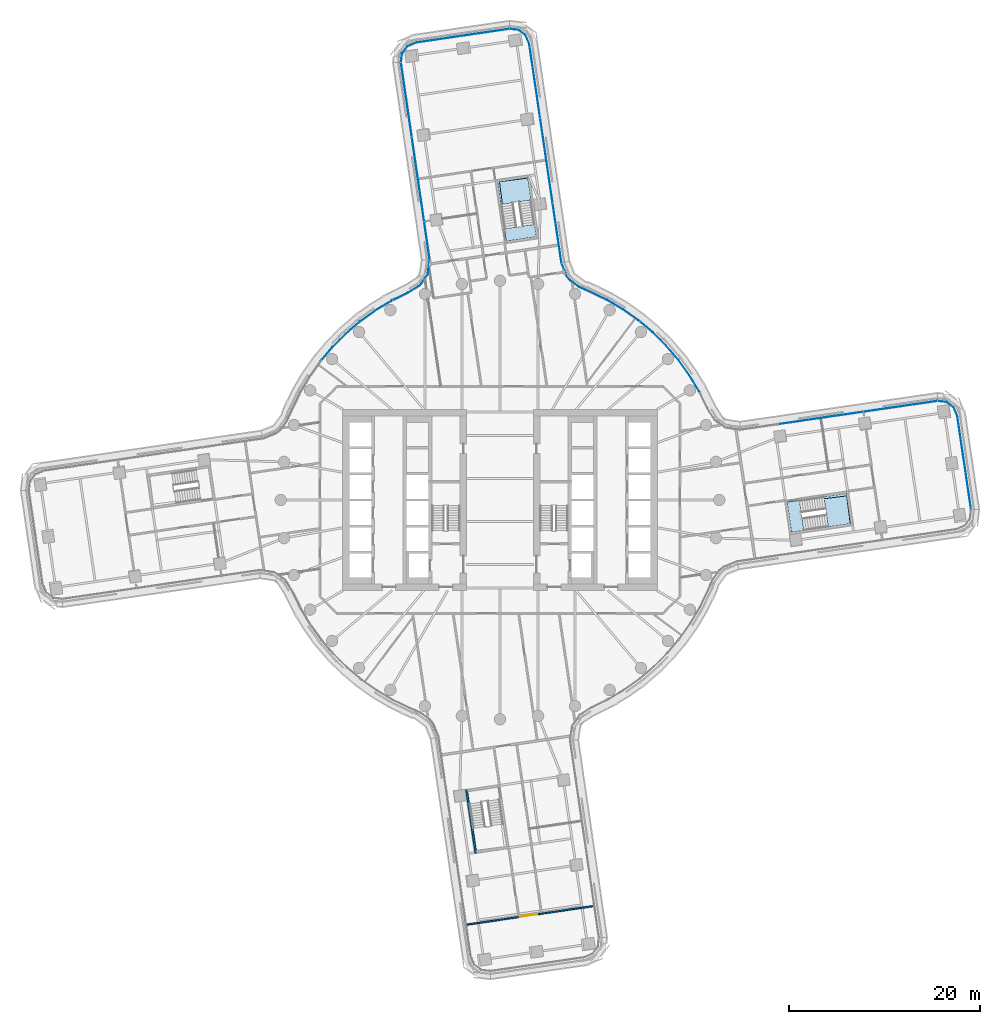
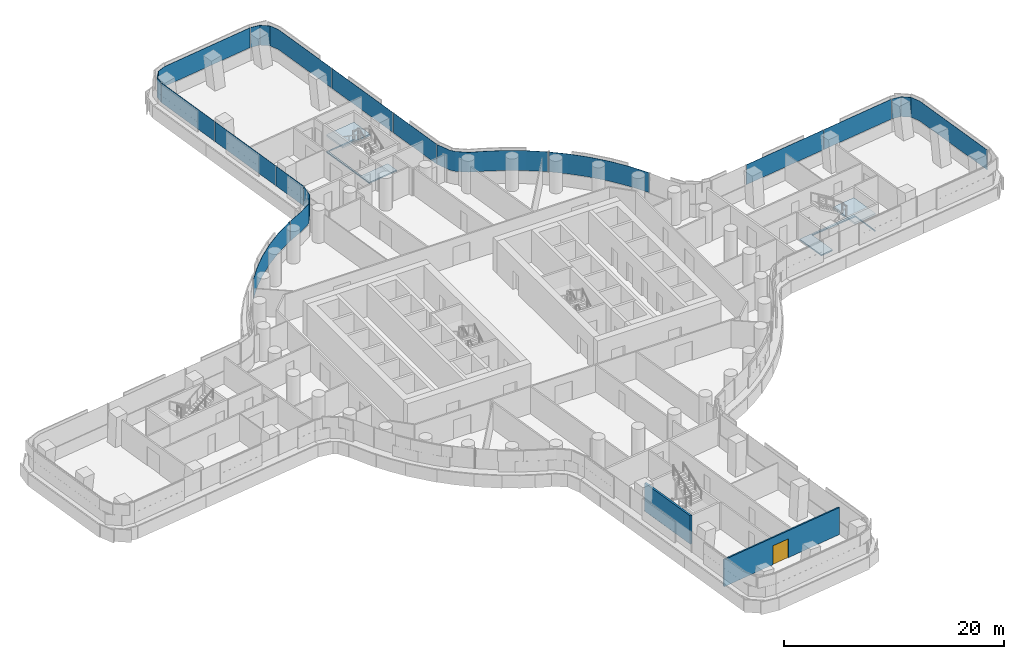
# One storey, part 18 of 31: 14 plates, 4 slabs, 2 walls, 1 door, 1 opening, 9 elements without a shape of their own.
"""IFC4 building model written with IfcOpenShell, lengths in metres."""

import ifcopenshell
import ifcopenshell.guid

model = None  # the IFC model being written
_history = None  # IfcOwnerHistory: only IFC2X3 demands one
_inside = {}  # id of a spatial element -> (the spatial element, [elements in it])
_under = {}  # id of a project, library or spatial element -> (it, [spatial elements below it])
_declared = {}  # id of a project -> (the project, [libraries it declares])
_typed = {}  # id of a type object -> (the type object, [elements of that type])
_made_of = {}  # id of a material, layer set ... -> (it, [elements and type objects made of it])


def new_model(schema):
    """Start an empty IFC model of exactly this schema.

    Asked for "IFC4X3", IfcOpenShell would pick the latest addendum, in which some entities
    have other attributes; the version numbers below select the first issue.
    IFC2X3 requires an IfcOwnerHistory on every rooted entity: one is made here for all.
    """
    global model, _history
    if schema == "IFC4X3":
        model = ifcopenshell.file(schema_version=(4, 3, 0, 0))
    else:
        model = ifcopenshell.file(schema=schema)
    _inside.clear()
    _under.clear()
    _declared.clear()
    _typed.clear()
    _made_of.clear()
    _history = None
    if model.schema == "IFC2X3":
        org = make("IfcOrganization", Name="unknown")
        user = make(
            "IfcPersonAndOrganization",
            ThePerson=make("IfcPerson", FamilyName="unknown"),
            TheOrganization=org,
        )
        app = make(
            "IfcApplication",
            ApplicationDeveloper=org,
            Version="unknown",
            ApplicationFullName="unknown",
            ApplicationIdentifier="unknown",
        )
        _history = make(
            "IfcOwnerHistory",
            OwningUser=user,
            OwningApplication=app,
            ChangeAction="ADDED",
            CreationDate=0,
        )
    return model


def make(cls, **values):
    """One entity of the class cls with the attributes given. An attribute that is None is left unset."""
    return model.create_entity(
        cls, **{name: value for name, value in values.items() if value is not None}
    )


def rooted(cls, **values):
    """An entity with a GlobalId (a new one), such as an element, a storey or a relation."""
    return make(cls, GlobalId=ifcopenshell.guid.new(), OwnerHistory=_history, **values)


def si_unit(unit_type, name, prefix=None):
    """IfcSIUnit, for example si_unit("LENGTHUNIT", "METRE", prefix="MILLI")."""
    return make("IfcSIUnit", UnitType=unit_type, Prefix=prefix, Name=name)


def assignment(units):
    """IfcUnitAssignment: the units of a project."""
    return None if units is None else make("IfcUnitAssignment", Units=units)


def point(xyz):
    """IfcCartesianPoint."""
    return None if xyz is None else make("IfcCartesianPoint", Coordinates=xyz)


def direction(xyz):
    """IfcDirection."""
    return None if xyz is None else make("IfcDirection", DirectionRatios=xyz)


def frame(location, z_axis=None, x_axis=None):
    """IfcAxis2Placement3D, a coordinate frame: its origin and axes. An axis left out is left unset."""
    return make(
        "IfcAxis2Placement3D",
        Location=point(location),
        Axis=direction(z_axis),
        RefDirection=direction(x_axis),
    )


def frame_2d(location, x_axis=None):
    """IfcAxis2Placement2D, a coordinate frame in the plane: its origin and x axis."""
    return make(
        "IfcAxis2Placement2D", Location=point(location), RefDirection=direction(x_axis)
    )


def origin():
    """The frame at (0, 0, 0) with its axes left unset."""
    return frame((0.0, 0.0, 0.0))


def place(relative_to, where):
    """IfcLocalPlacement: puts the frame where relative to a parent placement (None: the world)."""
    return make(
        "IfcLocalPlacement", PlacementRelTo=relative_to, RelativePlacement=where
    )


def context(
    kind, dimensions, precision=None, world=None, true_north=None, identifier=None
):
    """IfcGeometricRepresentationContext, for example the 3D "Model" context."""
    return make(
        "IfcGeometricRepresentationContext",
        ContextIdentifier=identifier,
        ContextType=kind,
        CoordinateSpaceDimension=dimensions,
        Precision=precision,
        WorldCoordinateSystem=world,
        TrueNorth=true_north,
    )


def subcontext(parent, identifier, kind, view, scale=None):
    """IfcGeometricRepresentationSubContext, for example "Body" below "Model"."""
    return make(
        "IfcGeometricRepresentationSubContext",
        ContextIdentifier=identifier,
        ContextType=kind,
        ParentContext=parent,
        TargetScale=scale,
        TargetView=view,
    )


def project(units=None, contexts=None):
    """IfcProject with its units and contexts."""
    return rooted(
        "IfcProject",
        Name="project",
        RepresentationContexts=contexts,
        UnitsInContext=assignment(units),
    )


def spatial(cls, under=None, at=None, **own):
    """A site, building, storey or space (cls), placed at a placement, below another one or the project."""
    s = rooted(cls, ObjectPlacement=at, **own)
    if under is not None:
        _under.setdefault(under.id(), (under, []))[1].append(s)
    return s


def polyline(points):
    """IfcPolyline through the points."""
    return make("IfcPolyline", Points=[point(p) for p in points])


def profile(cls, at=None, kind="AREA", **sizes):
    """A parametric profile (cls). Its sizes go by their IFC names, for example OverallWidth=200.0."""
    return make(cls, ProfileType=kind, Position=at, **sizes)


def rectangle(**sizes):
    """IfcRectangleProfileDef."""
    return profile("IfcRectangleProfileDef", **sizes)


def outline(outer, holes=None, kind="AREA"):
    """IfcArbitraryClosedProfileDef: a profile drawn as a closed curve; with holes, ...WithVoids."""
    if holes is None:
        return make("IfcArbitraryClosedProfileDef", ProfileType=kind, OuterCurve=outer)
    return make(
        "IfcArbitraryProfileDefWithVoids",
        ProfileType=kind,
        OuterCurve=outer,
        InnerCurves=holes,
    )


def extrude(swept, where, along, depth):
    """IfcExtrudedAreaSolid: the profile swept, set in the frame where, extruded along a direction by depth."""
    return make(
        "IfcExtrudedAreaSolid",
        SweptArea=swept,
        Position=where,
        ExtrudedDirection=direction(along),
        Depth=depth,
    )


def shape(context_of_items, identifier, shape_type, items):
    """IfcShapeRepresentation: the items that make up one representation, for example the "Body"."""
    return make(
        "IfcShapeRepresentation",
        ContextOfItems=context_of_items,
        RepresentationIdentifier=identifier,
        RepresentationType=shape_type,
        Items=items,
    )


def material(Name=None, Category=None):
    """IfcMaterial."""
    return make("IfcMaterial", Name=Name, Category=Category)


def layer(
    of_material, thickness, ventilated=None, Name=None, Category=None, Priority=None
):
    """IfcMaterialLayer: one layer of a wall or slab, of a material (None: an air gap)."""
    return make(
        "IfcMaterialLayer",
        Material=of_material,
        LayerThickness=thickness,
        IsVentilated=ventilated,
        Name=Name,
        Category=Category,
        Priority=Priority,
    )


def layer_set(layers, Name=None):
    """IfcMaterialLayerSet."""
    return make("IfcMaterialLayerSet", MaterialLayers=layers, LayerSetName=Name)


def made_of(thing, what):
    """Note that an element or type object is made of a material, layer set ...; save() writes the relation."""
    if what is not None:
        _made_of.setdefault(what.id(), (what, []))[1].append(thing)
    return thing


def type_object(cls, material=None, **own):
    """A type object (cls), such as IfcWallType, which elements share."""
    return made_of(rooted(cls, **own), material)


def element(
    cls,
    number,
    at=None,
    inside=None,
    cuts=None,
    type_object=None,
    material=None,
    context=None,
    identifier="Body",
    shape_type=None,
    held_by="IfcProductDefinitionShape",
    body=None,
    shapes=None,
    **own,
):
    """One element of the class cls, such as IfcWall. Its Tag is "e" and its number.

    at: its placement. inside: the storey or other place that contains it. cuts: it is an
    opening in that element (IfcRelVoidsElement). A single representation is given by context,
    identifier, shape_type and body (its items); several are given by shapes. held_by: the class
    of the entity that holds the representations. save() writes the other relations.
    """
    e = rooted(cls, Tag="e%d" % number, ObjectPlacement=at, **own)
    if body is not None:
        shapes = [shape(context, identifier, shape_type, body)]
    if shapes is not None:
        e.Representation = make(held_by, Representations=shapes)
    if inside is not None:
        _inside.setdefault(inside.id(), (inside, []))[1].append(e)
    if cuts is not None:
        rooted(
            "IfcRelVoidsElement", RelatingBuildingElement=cuts, RelatedOpeningElement=e
        )
    if type_object is not None:
        _typed.setdefault(type_object.id(), (type_object, []))[1].append(e)
    return made_of(e, material)


def fill(opening, filler):
    """IfcRelFillsElement: the door or window that sits in an opening."""
    return rooted(
        "IfcRelFillsElement",
        RelatingOpeningElement=opening,
        RelatedBuildingElement=filler,
    )


def aggregate(whole, parts):
    """IfcRelAggregates: a whole, such as a stair, and the parts it consists of."""
    return rooted("IfcRelAggregates", RelatingObject=whole, RelatedObjects=parts)


def save(model, path):
    """Write the relations noted so far, then the file.

    IfcRelAggregates (storeys below a building ...), IfcRelContainedInSpatialStructure (elements
    in a storey), IfcRelDefinesByType, IfcRelAssociatesMaterial and IfcRelDeclares: one each for
    every whole, place, type object, material and project.
    """
    for whole, parts in _under.values():
        aggregate(whole, parts)
    for where, things in _inside.values():
        rooted(
            "IfcRelContainedInSpatialStructure",
            RelatedElements=things,
            RelatingStructure=where,
        )
    for kind, things in _typed.values():
        rooted("IfcRelDefinesByType", RelatedObjects=things, RelatingType=kind)
    for what, things in _made_of.values():
        rooted("IfcRelAssociatesMaterial", RelatedObjects=things, RelatingMaterial=what)
    for by, libraries in _declared.values():
        rooted("IfcRelDeclares", RelatingContext=by, RelatedDefinitions=libraries)
    model.write(path)


model = new_model("IFC4")

# Units and contexts
model_context = context("Model", 3, precision=1e-05, world=origin(), true_north=direction((0.0, 1.0)))
body_context = subcontext(model_context, "Body", "Model", "MODEL_VIEW")
ifc_project = project(units=[si_unit("LENGTHUNIT", "METRE"), si_unit("AREAUNIT", "SQUARE_METRE"), si_unit("VOLUMEUNIT", "CUBIC_METRE"), si_unit("PLANEANGLEUNIT", "RADIAN"), si_unit("MASSUNIT", "GRAM", prefix="KILO")], contexts=[model_context])

# Site, building, storey
site_placement = place(None, origin())
site = spatial("IfcSite", under=ifc_project, at=site_placement, CompositionType="ELEMENT")
building_placement = place(site_placement, origin())
building = spatial("IfcBuilding", under=site, at=building_placement, Name="Tamarind Cross Interchange Tower", CompositionType="ELEMENT")
storey_placement = place(building_placement, frame((0.0, 0.0, 64.0)))
storey = spatial("IfcBuildingStorey", under=building, at=storey_placement, Name="L14", CompositionType="ELEMENT", Elevation=64.0)

# Slabs
ifc_material_1 = material(Name="Concrete C35", Category="concrete")
ifc_layer_1 = layer(ifc_material_1, 0.139892578125)
ifc_layer_set_1 = layer_set([ifc_layer_1], Name="Concrete C35")
slab_type_1 = type_object("IfcSlabType", Name="Composite slab 140 Concrete C35", PredefinedType="FLOOR", material=ifc_layer_set_1)
slab_1_placement = place(storey_placement, frame((0.0, 0.0, -0.139892578125)))
element("IfcSlab", 1, at=slab_1_placement, inside=storey, type_object=slab_type_1, Name="Floor slab L14", PredefinedType="FLOOR", context=body_context, shape_type="SweptSolid", body=[
    extrude(outline(polyline([(2.908447265625, 33.8486328125), (-0.257568359375, 33.383544921875), (0.658203125, 27.150390625), (3.82421875, 27.615478515625), (3.6455078125, 28.831787109375), (3.633544921875, 28.91357421875), (0.581787109375, 28.465087890625), (-0.0498046875, 33.38623046875), (2.92041015625, 33.767578125), (2.908447265625, 33.8486328125)])), origin(), (0.0, 0.0, 1.0), 0.139892578125),
])
slab_2_placement = place(storey_placement, frame((0.0, 0.0, -0.139892578125)))
element("IfcSlab", 2, at=slab_2_placement, inside=storey, type_object=slab_type_1, Name="Floor slab L14", PredefinedType="FLOOR", context=body_context, shape_type="SweptSolid", body=[
    extrude(outline(polyline([(36.36181640625, 0.431884765625), (36.736083984375, -2.484375), (36.81689453125, -2.472412109375), (36.3515625, 0.693603515625), (30.118408203125, -0.22216796875), (30.583740234375, -3.38818359375), (31.80029296875, -3.20947265625), (31.8818359375, -3.197509765625), (31.44140625, -0.19970703125), (36.36181640625, 0.431884765625)])), origin(), (0.0, 0.0, 1.0), 0.139892578125),
])

# Stair, slab
ifc_material_2 = material(Name="Exit stair")
stair_type = type_object("IfcStairType", Name="Exit stair", PredefinedType="HALF_TURN_STAIR", material=ifc_material_2)
stair_1_placement = place(storey_placement, origin())
stair_1 = element("IfcStair", 3, at=stair_1_placement, inside=storey, type_object=stair_type, Name="L14 exit stair ST3", PredefinedType="HALF_TURN_STAIR")
ifc_material_3 = material(Name="Concrete C40", Category="concrete")
ifc_layer_2 = layer(ifc_material_3, 0.199951171875)
ifc_layer_set_2 = layer_set([ifc_layer_2], Name="Concrete C40")
slab_type_2 = type_object("IfcSlabType", Name="Stair landing", PredefinedType="LANDING", material=ifc_layer_set_2)
slab_3_placement = place(storey_placement, frame((0.0, 0.0, 1.675048828125)))
slab_3 = element("IfcSlab", 4, at=slab_3_placement, type_object=slab_type_2, Name="ST3 landing 1", PredefinedType="LANDING", context=body_context, shape_type="SweptSolid", body=[
    extrude(outline(polyline([(34.430419921875, -2.822998046875), (36.81689453125, -2.472412109375), (36.3515625, 0.693603515625), (33.96533203125, 0.343017578125), (34.430419921875, -2.822998046875)])), origin(), (0.0, 0.0, 1.0), 0.199951171875),
])
aggregate(stair_1, [slab_3])

stair_2_placement = place(storey_placement, origin())
stair_2 = element("IfcStair", 5, at=stair_2_placement, inside=storey, type_object=stair_type, Name="L14 exit stair ST4", PredefinedType="HALF_TURN_STAIR")
slab_4_placement = place(storey_placement, frame((0.0, 0.0, 1.675048828125)))
slab_4 = element("IfcSlab", 6, at=slab_4_placement, type_object=slab_type_2, Name="ST4 landing 1", PredefinedType="LANDING", context=body_context, shape_type="SweptSolid", body=[
    extrude(outline(polyline([(3.259033203125, 31.462158203125), (2.908447265625, 33.8486328125), (-0.257568359375, 33.383544921875), (0.093017578125, 30.9970703125), (3.259033203125, 31.462158203125)])), origin(), (0.0, 0.0, 1.0), 0.199951171875),
])
aggregate(stair_2, [slab_4])

# Curtain wall, plate
ifc_material_4 = material(Name="Aluminium 6063-T6", Category="aluminium")
ifc_layer_3 = layer(ifc_material_4, 0.159912109375)
ifc_layer_set_3 = layer_set([ifc_layer_3], Name="Aluminium 6063-T6")
curtain_wall_type = type_object("IfcCurtainWallType", Name="Office curtain wall, 9.0 m bays", PredefinedType="NOTDEFINED", material=ifc_layer_set_3)
curtain_wall_1_placement = place(storey_placement, origin())
curtain_wall_1 = element("IfcCurtainWall", 7, at=curtain_wall_1_placement, inside=storey, type_object=curtain_wall_type, Name="CWS-L14-08", PredefinedType="NOTDEFINED")
ifc_material_5 = material(Name="Laminated low-e glass 8+1.52+8", Category="glass")
ifc_layer_4 = layer(ifc_material_5, 0.028076171875)
ifc_layer_set_4 = layer_set([ifc_layer_4], Name="Laminated low-e glass 8+1.52+8")
plate_type = type_object("IfcPlateType", Name="Vision panel CW1", PredefinedType="CURTAIN_PANEL", material=ifc_layer_set_4)
plate_1_placement = place(storey_placement, frame((0.0, 0.0, 1.39990234375)))
plate_1 = element("IfcPlate", 8, at=plate_1_placement, type_object=plate_type, Name="CWP-L14-08-00", PredefinedType="CURTAIN_PANEL", context=body_context, shape_type="SweptSolid", body=[
    extrude(outline(polyline([(49.40087890625, -0.970947265625), (47.95947265625, 8.83935546875), (47.5830078125, 9.711181640625), (46.84423828125, 10.2607421875), (45.9287109375, 10.3671875), (45.931884765625, 10.39501953125), (46.85498046875, 10.28759765625), (47.605712890625, 9.729248046875), (47.986572265625, 8.846923828125), (49.428466796875, -0.966796875), (49.40087890625, -0.970947265625)])), origin(), (0.0, 0.0, 1.0), 2.210205078125),
])
aggregate(curtain_wall_1, [plate_1])

# Curtain wall, plates
curtain_wall_2_placement = place(storey_placement, origin())
curtain_wall_2 = element("IfcCurtainWall", 9, at=curtain_wall_2_placement, inside=storey, type_object=curtain_wall_type, Name="CWS-L14-09", PredefinedType="NOTDEFINED")
plate_2_placement = place(storey_placement, frame((0.0, 0.0, 1.39990234375)))
plate_2 = element("IfcPlate", 10, at=plate_2_placement, type_object=plate_type, Name="CWP-L14-09-00", PredefinedType="CURTAIN_PANEL", context=body_context, shape_type="SweptSolid", body=[
    extrude(outline(polyline([(45.872802734375, 10.366455078125), (38.130859375, 9.23828125), (38.126708984375, 9.26611328125), (45.868896484375, 10.39404296875), (45.872802734375, 10.366455078125)])), origin(), (0.0, 0.0, 1.0), 2.210205078125),
])
plate_3_placement = place(storey_placement, frame((0.0, 0.0, 1.39990234375)))
plate_3 = element("IfcPlate", 11, at=plate_3_placement, type_object=plate_type, Name="CWP-L14-09-01", PredefinedType="CURTAIN_PANEL", context=body_context, shape_type="SweptSolid", body=[
    extrude(outline(polyline([(38.071533203125, 9.229736328125), (29.2236328125, 7.9404296875), (29.219482421875, 7.96826171875), (38.0673828125, 9.25732421875), (38.071533203125, 9.229736328125)])), origin(), (0.0, 0.0, 1.0), 2.210205078125),
])
aggregate(curtain_wall_2, [plate_2, plate_3])

curtain_wall_3_placement = place(storey_placement, origin())
curtain_wall_3 = element("IfcCurtainWall", 12, at=curtain_wall_3_placement, inside=storey, type_object=curtain_wall_type, Name="CWS-L14-10", PredefinedType="NOTDEFINED")
plate_4_placement = place(storey_placement, frame((0.0, 0.0, 1.39990234375)))
plate_4 = element("IfcPlate", 13, at=plate_4_placement, type_object=plate_type, Name="CWP-L14-10-01", PredefinedType="CURTAIN_PANEL", context=body_context, shape_type="SweptSolid", body=[
    extrude(outline(polyline([(20.93359375, 11.27294921875), (20.866455078125, 11.40869140625), (19.85302734375, 13.093017578125), (18.7041015625, 14.687744140625), (17.42724609375, 16.18212890625), (16.031494140625, 17.56591796875), (14.68408203125, 18.697265625), (14.7021484375, 18.718505859375), (16.05029296875, 17.586669921875), (17.44775390625, 16.201171875), (18.72607421875, 14.705078125), (19.87646484375, 13.1083984375), (20.89111328125, 11.422119140625), (20.958740234375, 11.285400390625), (20.93359375, 11.27294921875)])), origin(), (0.0, 0.0, 1.0), 2.210205078125),
])
plate_5_placement = place(storey_placement, frame((0.0, 0.0, 1.39990234375)))
plate_5 = element("IfcPlate", 14, at=plate_5_placement, type_object=plate_type, Name="CWP-L14-10-02", PredefinedType="CURTAIN_PANEL", context=body_context, shape_type="SweptSolid", body=[
    extrude(outline(polyline([(14.63818359375, 18.73583984375), (14.526123046875, 18.829833984375), (12.921630859375, 19.965087890625), (11.228759765625, 20.9638671875), (9.4560546875, 21.821044921875), (8.333984375, 22.29638671875), (7.353271484375, 23.019287109375), (6.998046875, 23.465576171875), (6.453857421875, 24.80859375), (6.479736328125, 24.819091796875), (7.0224609375, 23.47998046875), (7.373046875, 23.03955078125), (8.347900390625, 22.321044921875), (9.467529296875, 21.8466796875), (11.241943359375, 20.98876953125), (12.936767578125, 19.988525390625), (14.543212890625, 18.85205078125), (14.65625, 18.75732421875), (14.63818359375, 18.73583984375)])), origin(), (0.0, 0.0, 1.0), 2.210205078125),
])
aggregate(curtain_wall_3, [plate_4, plate_5])

curtain_wall_4_placement = place(storey_placement, origin())
curtain_wall_4 = element("IfcCurtainWall", 15, at=curtain_wall_4_placement, inside=storey, type_object=curtain_wall_type, Name="CWS-L14-11", PredefinedType="NOTDEFINED")
plate_6_placement = place(storey_placement, frame((0.0, 0.0, 1.39990234375)))
plate_6 = element("IfcPlate", 16, at=plate_6_placement, type_object=plate_type, Name="CWP-L14-11-00", PredefinedType="CURTAIN_PANEL", context=body_context, shape_type="SweptSolid", body=[
    extrude(outline(polyline([(6.437255859375, 24.869384765625), (5.515380859375, 31.144287109375), (5.54296875, 31.148193359375), (6.465087890625, 24.873291015625), (6.437255859375, 24.869384765625)])), origin(), (0.0, 0.0, 1.0), 2.210205078125),
])
plate_7_placement = place(storey_placement, frame((0.0, 0.0, 1.39990234375)))
plate_7 = element("IfcPlate", 17, at=plate_7_placement, type_object=plate_type, Name="CWP-L14-11-01", PredefinedType="CURTAIN_PANEL", context=body_context, shape_type="SweptSolid", body=[
    extrude(outline(polyline([(5.506591796875, 31.20361328125), (4.207275390625, 40.0478515625), (4.23486328125, 40.0517578125), (5.534423828125, 31.207763671875), (5.506591796875, 31.20361328125)])), origin(), (0.0, 0.0, 1.0), 2.210205078125),
])
plate_8_placement = place(storey_placement, frame((0.0, 0.0, 1.39990234375)))
plate_8 = element("IfcPlate", 18, at=plate_8_placement, type_object=plate_type, Name="CWP-L14-11-02", PredefinedType="CURTAIN_PANEL", context=body_context, shape_type="SweptSolid", body=[
    extrude(outline(polyline([(4.198486328125, 40.107177734375), (3.057373046875, 47.873779296875), (2.6806640625, 48.74560546875), (1.942138671875, 49.295166015625), (1.026611328125, 49.401611328125), (1.030029296875, 49.429443359375), (1.952880859375, 49.322021484375), (2.70361328125, 48.763671875), (3.08447265625, 47.88134765625), (4.22607421875, 40.111083984375), (4.198486328125, 40.107177734375)])), origin(), (0.0, 0.0, 1.0), 2.210205078125),
])
aggregate(curtain_wall_4, [plate_6, plate_7, plate_8])

# Curtain wall, plate
curtain_wall_5_placement = place(storey_placement, origin())
curtain_wall_5 = element("IfcCurtainWall", 19, at=curtain_wall_5_placement, inside=storey, type_object=curtain_wall_type, Name="CWS-L14-12", PredefinedType="NOTDEFINED")
plate_9_placement = place(storey_placement, frame((0.0, 0.0, 1.39990234375)))
plate_9 = element("IfcPlate", 20, at=plate_9_placement, type_object=plate_type, Name="CWP-L14-12-00", PredefinedType="CURTAIN_PANEL", context=body_context, shape_type="SweptSolid", body=[
    extrude(outline(polyline([(0.970947265625, 49.40087890625), (-8.83935546875, 47.95947265625), (-9.711181640625, 47.5830078125), (-10.2607421875, 46.84423828125), (-10.3671875, 45.9287109375), (-10.39501953125, 45.931884765625), (-10.28759765625, 46.85498046875), (-9.729248046875, 47.605712890625), (-8.846923828125, 47.986572265625), (0.966796875, 49.428466796875), (0.970947265625, 49.40087890625)])), origin(), (0.0, 0.0, 1.0), 2.210205078125),
])
aggregate(curtain_wall_5, [plate_9])

# Curtain wall, plates
curtain_wall_6_placement = place(storey_placement, origin())
curtain_wall_6 = element("IfcCurtainWall", 21, at=curtain_wall_6_placement, inside=storey, type_object=curtain_wall_type, Name="CWS-L14-13", PredefinedType="NOTDEFINED")
plate_10_placement = place(storey_placement, frame((0.0, 0.0, 1.39990234375)))
plate_10 = element("IfcPlate", 22, at=plate_10_placement, type_object=plate_type, Name="CWP-L14-13-00", PredefinedType="CURTAIN_PANEL", context=body_context, shape_type="SweptSolid", body=[
    extrude(outline(polyline([(-10.366455078125, 45.872802734375), (-9.23828125, 38.130859375), (-9.26611328125, 38.126708984375), (-10.39404296875, 45.868896484375), (-10.366455078125, 45.872802734375)])), origin(), (0.0, 0.0, 1.0), 2.210205078125),
])
plate_11_placement = place(storey_placement, frame((0.0, 0.0, 1.39990234375)))
plate_11 = element("IfcPlate", 23, at=plate_11_placement, type_object=plate_type, Name="CWP-L14-13-01", PredefinedType="CURTAIN_PANEL", context=body_context, shape_type="SweptSolid", body=[
    extrude(outline(polyline([(-9.229736328125, 38.071533203125), (-7.9404296875, 29.2236328125), (-7.96826171875, 29.219482421875), (-9.25732421875, 38.0673828125), (-9.229736328125, 38.071533203125)])), origin(), (0.0, 0.0, 1.0), 2.210205078125),
])
plate_12_placement = place(storey_placement, frame((0.0, 0.0, 1.39990234375)))
plate_12 = element("IfcPlate", 24, at=plate_12_placement, type_object=plate_type, Name="CWP-L14-13-02", PredefinedType="CURTAIN_PANEL", context=body_context, shape_type="SweptSolid", body=[
    extrude(outline(polyline([(-7.931884765625, 29.1640625), (-7.35546875, 25.208984375), (-7.38330078125, 25.204833984375), (-7.95947265625, 29.16015625), (-7.931884765625, 29.1640625)])), origin(), (0.0, 0.0, 1.0), 2.210205078125),
])
aggregate(curtain_wall_6, [plate_10, plate_11, plate_12])

curtain_wall_7_placement = place(storey_placement, origin())
curtain_wall_7 = element("IfcCurtainWall", 25, at=curtain_wall_7_placement, inside=storey, type_object=curtain_wall_type, Name="CWS-L14-14", PredefinedType="NOTDEFINED")
plate_13_placement = place(storey_placement, frame((0.0, 0.0, 1.39990234375)))
plate_13 = element("IfcPlate", 26, at=plate_13_placement, type_object=plate_type, Name="CWP-L14-14-00", PredefinedType="CURTAIN_PANEL", context=body_context, shape_type="SweptSolid", body=[
    extrude(outline(polyline([(-7.35546875, 25.1455078125), (-7.5712890625, 23.685302734375), (-8.367919921875, 22.522216796875), (-9.6298828125, 21.74560546875), (-11.218994140625, 20.960205078125), (-11.2314453125, 20.9853515625), (-9.643310546875, 21.770263671875), (-8.3876953125, 22.54296875), (-7.597900390625, 23.69580078125), (-7.38330078125, 25.149658203125), (-7.35546875, 25.1455078125)])), origin(), (0.0, 0.0, 1.0), 2.210205078125),
])
plate_14_placement = place(storey_placement, frame((0.0, 0.0, 1.39990234375)))
plate_14 = element("IfcPlate", 27, at=plate_14_placement, type_object=plate_type, Name="CWP-L14-14-01", PredefinedType="CURTAIN_PANEL", context=body_context, shape_type="SweptSolid", body=[
    extrude(outline(polyline([(-11.27294921875, 20.93359375), (-11.40869140625, 20.866455078125), (-13.093017578125, 19.85302734375), (-14.687744140625, 18.7041015625), (-16.18212890625, 17.42724609375), (-17.56591796875, 16.031494140625), (-18.697265625, 14.68408203125), (-18.718505859375, 14.7021484375), (-17.586669921875, 16.05029296875), (-16.201171875, 17.44775390625), (-14.705078125, 18.72607421875), (-13.1083984375, 19.87646484375), (-11.422119140625, 20.89111328125), (-11.285400390625, 20.958740234375), (-11.27294921875, 20.93359375)])), origin(), (0.0, 0.0, 1.0), 2.210205078125),
])
aggregate(curtain_wall_7, [plate_13, plate_14])

# Wall, opening, door
ifc_material_6 = material(Name="Gypsum board partition on steel studs", Category="steel")
ifc_layer_5 = layer(ifc_material_6, 0.14990234375)
ifc_layer_set_5 = layer_set([ifc_layer_5], Name="Gypsum board partition on steel studs")
wall_type_1 = type_object("IfcWallType", Name="Partition 150 mm EI 120", PredefinedType="PARTITIONING", material=ifc_layer_set_5)
wall_1_placement = place(storey_placement, frame((-3.458984375, -44.541748046875, 0.0), z_axis=(0.0, 0.0, 1.0), x_axis=(0.989385495533, 0.145314628404, 0.0)))
wall_1 = element("IfcWall", 28, at=wall_1_placement, inside=storey, type_object=wall_type_1, Name="Partition L14-060", PredefinedType="PARTITIONING", context=body_context, shape_type="SweptSolid", body=[
    extrude(rectangle(XDim=13.402099609375, YDim=0.14990234375, at=frame_2d((6.701171875, 0.0))), origin(), (0.0, 0.0, 1.0), 3.010009765625),
])
opening_placement = place(wall_1_placement, frame((5.6494140625, 0.0, 0.0)))
opening = element("IfcOpeningElement", 29, at=opening_placement, cuts=wall_1, Name="Opening D32", PredefinedType="OPENING", context=body_context, shape_type="SweptSolid", body=[
    extrude(rectangle(XDim=1.800048828125, YDim=2.10009765625, at=frame_2d((0.89990234375, 1.050048828125))), frame((0.0, 0.0849609375, 0.0), z_axis=(0.0, -1.0, 0.0), x_axis=(1.0, 0.0, 0.0)), (0.0, 0.0, 1.0), 0.169921875),
])
ifc_material_7 = material(Name="Fire-resisting door set")
door_type = type_object("IfcDoorType", Name="Interior door 1800 x 2100 FD60S", OperationType="DOUBLE_DOOR_SINGLE_SWING", PredefinedType="DOOR", material=ifc_material_7)
door_placement = place(opening_placement, frame((1.800048828125, 0.0, 0.0), z_axis=(0.0, 0.0, 1.0), x_axis=(-1.0, 0.0, 0.0)))
door = element("IfcDoor", 30, at=door_placement, inside=storey, type_object=door_type, Name="Door D32", OperationType="DOUBLE_DOOR_SINGLE_SWING", OverallHeight=2.10009765625, OverallWidth=1.800048828125, PredefinedType="DOOR", context=body_context, shape_type="SweptSolid", body=[
    extrude(rectangle(XDim=1.800048828125, YDim=2.10009765625, at=frame_2d((0.89990234375, 1.050048828125))), frame((0.0, 0.02490234375, 0.0), z_axis=(0.0, -1.0, 0.0), x_axis=(1.0, 0.0, 0.0)), (0.0, 0.0, 1.0), 0.050048828125),
])
fill(opening, door)

# Wall
ifc_layer_6 = layer(ifc_material_3, 0.199951171875)
ifc_layer_set_6 = layer_set([ifc_layer_6], Name="Concrete C40")
wall_type_2 = type_object("IfcWallType", Name="Stair shaft wall 200 mm Concrete C40", PredefinedType="SHEAR", material=ifc_layer_set_6)
wall_2_placement = place(storey_placement, frame((-3.51611328125, -30.400390625, -0.139892578125), z_axis=(0.0, 0.0, 1.0), x_axis=(0.145353418254, -0.989379797551, 0.0)))
element("IfcWall", 31, at=wall_2_placement, inside=storey, type_object=wall_type_2, Name="Core wall CWL-L14-ST6-C", PredefinedType="SHEAR", context=body_context, shape_type="SweptSolid", body=[
    extrude(rectangle(XDim=6.699951171875, YDim=0.199951171875, at=frame_2d((3.35009765625, 0.0))), origin(), (0.0, 0.0, 1.0), 3.14990234375),
])

save(model, "model.ifc")
